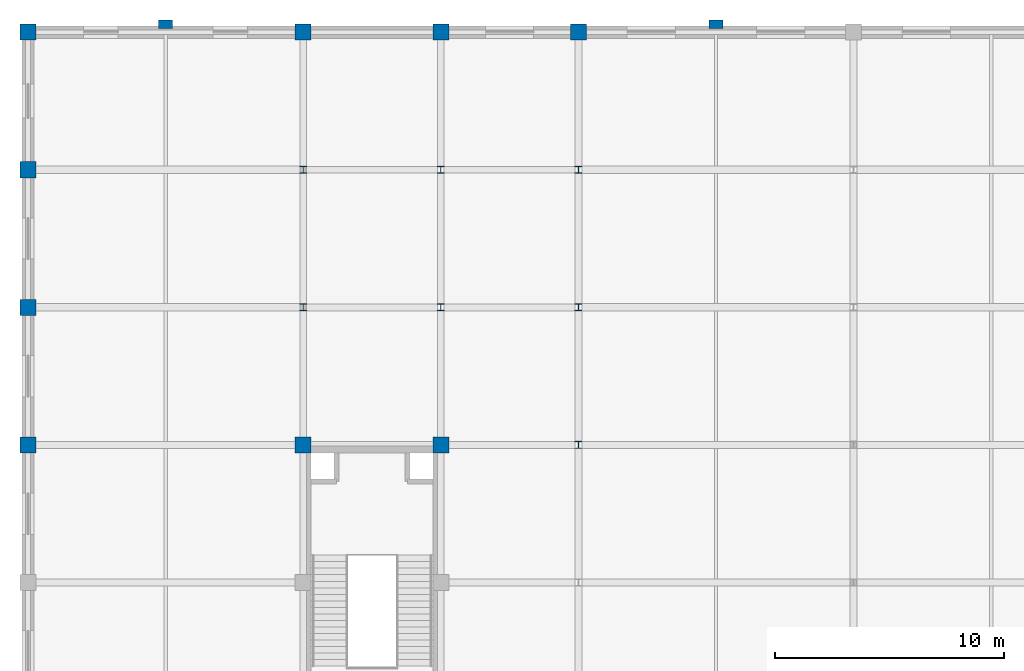
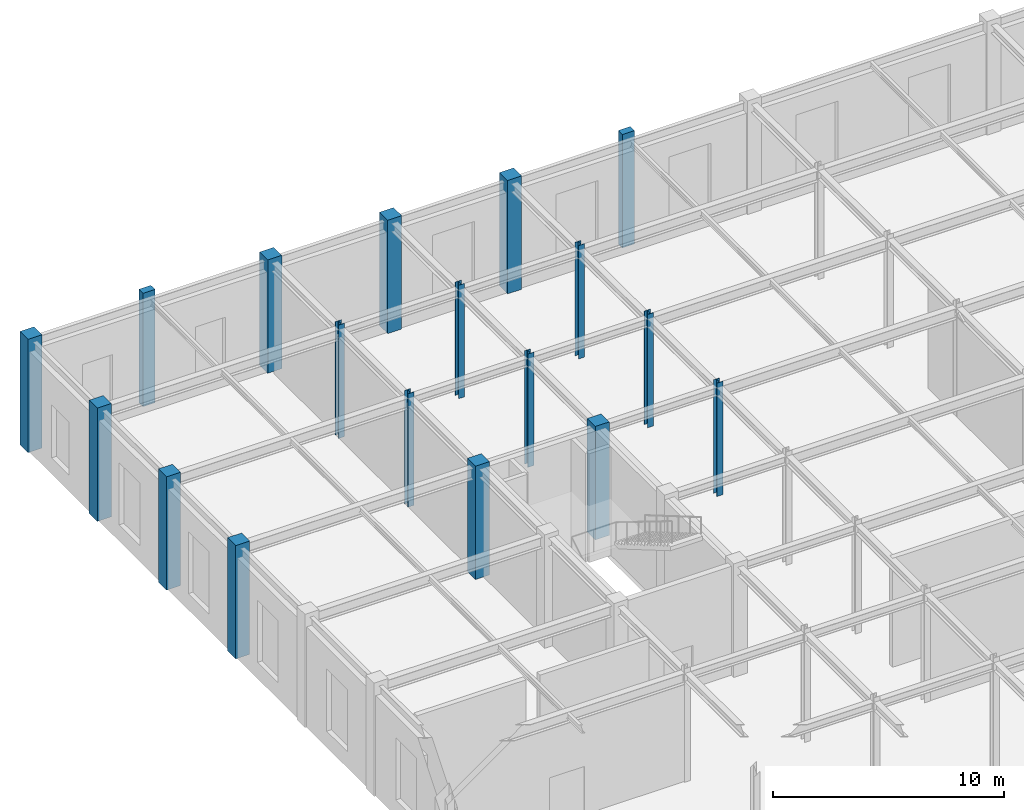
# One storey, part 15 of 108: 18 columns.
"""IFC4 building model written with IfcOpenShell, lengths in metres."""

from ifc_helpers import new_model, si_unit, direction, frame, origin, origin_2d, place, context, subcontext, project, spatial, rectangle, i_section, extrude, material, material_profile, profile_set, type_object, element, save


model = new_model("IFC4")

# Units and contexts
model_context = context("Model", 3, precision=1e-05, world=origin(), true_north=direction((0.0, 1.0)))
body_context = subcontext(model_context, "Body", "Model", "MODEL_VIEW")
ifc_project = project(units=[si_unit("LENGTHUNIT", "METRE"), si_unit("AREAUNIT", "SQUARE_METRE"), si_unit("VOLUMEUNIT", "CUBIC_METRE"), si_unit("PLANEANGLEUNIT", "RADIAN"), si_unit("MASSUNIT", "GRAM", prefix="KILO")], contexts=[model_context])

# Site, building, storey
site_placement = place(None, origin())
site = spatial("IfcSite", under=ifc_project, at=site_placement, CompositionType="ELEMENT")
building_placement = place(site_placement, origin())
building = spatial("IfcBuilding", under=site, at=building_placement, Name="Zlatovratsky Civic Hall", CompositionType="ELEMENT")
storey_placement = place(building_placement, frame((0.0, 0.0, 6.0)))
storey = spatial("IfcBuildingStorey", under=building, at=storey_placement, Name="L02", CompositionType="ELEMENT", Elevation=6.0)

# Columns
ifc_material_1 = material(Name="Concrete C35/45 (B40)", Category="concrete")
ifc_material_profile_1 = material_profile(ifc_material_1, rectangle(XDim=0.699951171875, YDim=0.699951171875, at=origin_2d()), Name="RC 700x700")
ifc_profile_set_1 = profile_set([ifc_material_profile_1], Name="Concrete C35/45 (B40)")
column_type_1 = type_object("IfcColumnType", Name="Col_CorePier_RC700", PredefinedType="COLUMN", material=ifc_profile_set_1)
for number, where, z_axis, x_axis, name in (
    (1, (0.0, 96.0, 0.0), (0.0, 0.0, 1.0), (1.0, 0.0, 0.0), "CL-1097"),
    (2, (12.0, 96.0, 0.0), (0.0, 0.0, 1.0), (1.0, 0.0, 0.0), "CL-1098"),
    (3, (18.0, 96.0, 0.0), (0.0, 0.0, 1.0), (1.0, 0.0, 0.0), "CL-1099"),
    (4, (0.0, 102.0, 0.0), (0.0, 0.0, 1.0), (1.0, 0.0, 0.0), "CL-1120"),
    (5, (0.0, 108.0, 0.0), (0.0, 0.0, 1.0), (1.0, 0.0, 0.0), "CL-1143"),
    (6, (0.0, 114.0, 0.0), (0.0, 0.0, 1.0), (1.0, 0.0, 0.0), "CL-1166"),
    (7, (12.0, 114.0, 0.0), (0.0, 0.0, 1.0), (1.0, 0.0, 0.0), "CL-1167"),
    (8, (18.0, 114.0, 0.0), (0.0, 0.0, 1.0), (1.0, 0.0, 0.0), "CL-1168"),
    (9, (24.0, 114.0, 0.0), (0.0, 0.0, 1.0), (1.0, 0.0, 0.0), "CL-1169"),
):
    element("IfcColumn", number, at=place(storey_placement, frame(where, z_axis=z_axis, x_axis=x_axis)), inside=storey, type_object=column_type_1, Name=name, PredefinedType="COLUMN", context=body_context, shape_type="SweptSolid", body=[
        extrude(rectangle(XDim=0.699951171875, YDim=0.699951171875, at=origin_2d()), origin(), (0.0, 0.0, 1.0), 6.0),
    ])
ifc_material_2 = material(Name="Steel S355", Category="steel")
ifc_material_profile_2 = material_profile(ifc_material_2, i_section(OverallWidth=0.300048828125, OverallDepth=0.300048828125, WebThickness=0.010009765625, FlangeThickness=0.014892578125, FilletRadius=0.01806640625, at=origin_2d()), Name="30K2")
ifc_profile_set_2 = profile_set([ifc_material_profile_2], Name="Steel S355")
column_type_2 = type_object("IfcColumnType", Name="Col_Steel_30K2", PredefinedType="COLUMN", material=ifc_profile_set_2)
for number, where, z_axis, x_axis, name in (
    (10, (24.0, 96.0, 0.0), (0.0, 0.0, 1.0), (1.0, 0.0, 0.0), "CL-1100"),
    (11, (12.0, 102.0, 0.0), (0.0, 0.0, 1.0), (1.0, 0.0, 0.0), "CL-1121"),
    (12, (18.0, 102.0, 0.0), (0.0, 0.0, 1.0), (1.0, 0.0, 0.0), "CL-1122"),
    (13, (24.0, 102.0, 0.0), (0.0, 0.0, 1.0), (1.0, 0.0, 0.0), "CL-1123"),
    (14, (12.0, 108.0, 0.0), (0.0, 0.0, 1.0), (1.0, 0.0, 0.0), "CL-1144"),
    (15, (18.0, 108.0, 0.0), (0.0, 0.0, 1.0), (1.0, 0.0, 0.0), "CL-1145"),
    (16, (24.0, 108.0, 0.0), (0.0, 0.0, 1.0), (1.0, 0.0, 0.0), "CL-1146"),
):
    element("IfcColumn", number, at=place(storey_placement, frame(where, z_axis=z_axis, x_axis=x_axis)), inside=storey, type_object=column_type_2, Name=name, PredefinedType="COLUMN", context=body_context, shape_type="SweptSolid", body=[
        extrude(i_section(OverallWidth=0.300048828125, OverallDepth=0.300048828125, WebThickness=0.010009765625, FlangeThickness=0.014892578125, FilletRadius=0.01806640625, at=origin_2d()), origin(), (0.0, 0.0, 1.0), 6.0),
    ])
ifc_material_profile_3 = material_profile(ifc_material_1, rectangle(XDim=0.60009765625, YDim=0.360107421875, at=origin_2d()), Name="RC 600x360")
ifc_profile_set_3 = profile_set([ifc_material_profile_3], Name="Concrete C35/45 (B40)")
column_type_3 = type_object("IfcColumnType", Name="Pilaster_Classical_RC600x360", PredefinedType="PILASTER", material=ifc_profile_set_3)
for number, where, z_axis, x_axis, name in (
    (17, (6.0, 114.35009765625, 0.0), (0.0, 0.0, 1.0), (1.0, 0.0, 0.0), "CL-2735"),
    (18, (30.0, 114.35009765625, 0.0), (0.0, 0.0, 1.0), (1.0, 0.0, 0.0), "CL-2736"),
):
    element("IfcColumn", number, at=place(storey_placement, frame(where, z_axis=z_axis, x_axis=x_axis)), inside=storey, type_object=column_type_3, Name=name, PredefinedType="PILASTER", context=body_context, shape_type="SweptSolid", body=[
        extrude(rectangle(XDim=0.60009765625, YDim=0.360107421875, at=origin_2d()), origin(), (0.0, 0.0, 1.0), 6.0),
    ])

save(model, "model.ifc")
